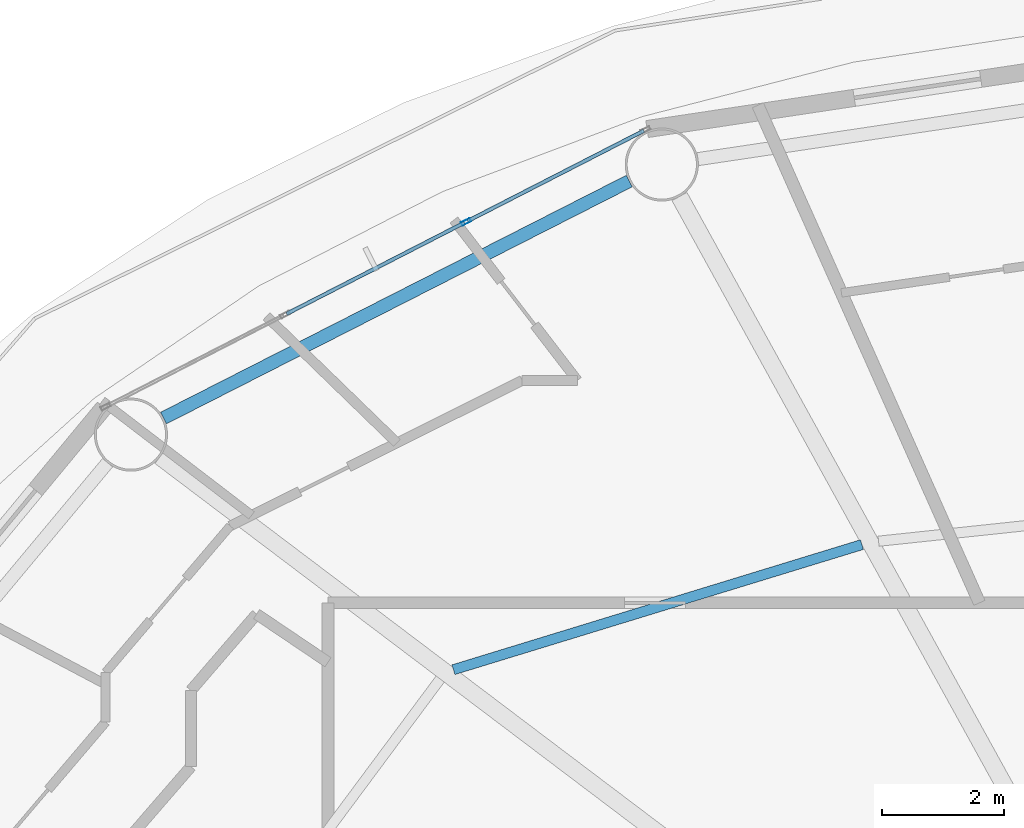
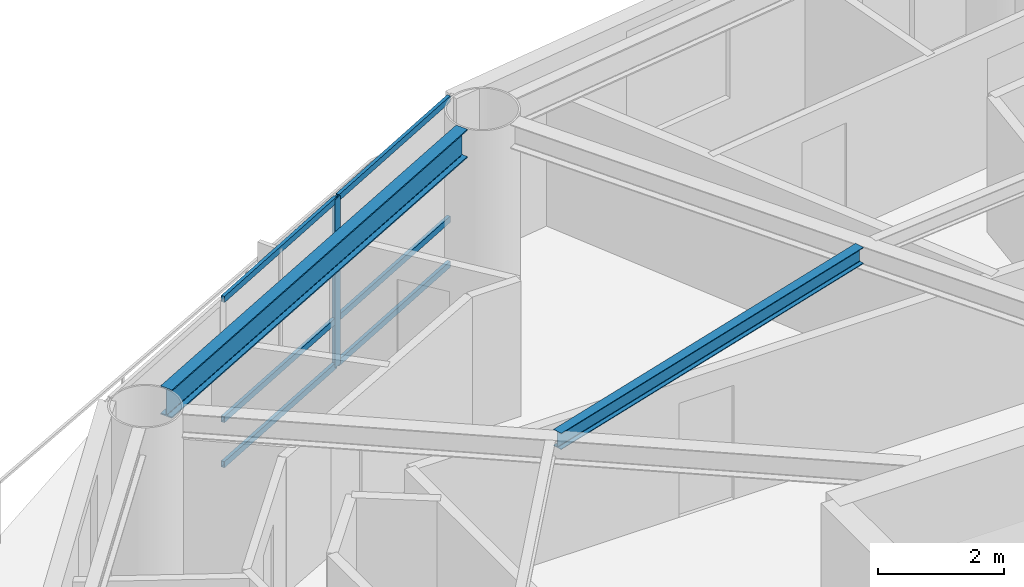
# One storey, part 9 of 28: 7 members, 2 beams, 1 element without a shape of its own.
"""IFC4 building model written with IfcOpenShell, lengths in metres."""

from ifc_helpers import new_model, si_unit, direction, frame, origin, origin_2d, place, context, subcontext, project, spatial, hollow_rectangle, i_section, extrude, material, layer, layer_set, material_profile, profile_set, type_object, element, aggregate, save


model = new_model("IFC4")

# Units and contexts
model_context = context("Model", 3, precision=1e-05, world=origin(), true_north=direction((0.0, 1.0)))
body_context = subcontext(model_context, "Body", "Model", "MODEL_VIEW")
ifc_project = project(units=[si_unit("LENGTHUNIT", "METRE"), si_unit("AREAUNIT", "SQUARE_METRE"), si_unit("VOLUMEUNIT", "CUBIC_METRE"), si_unit("PLANEANGLEUNIT", "RADIAN"), si_unit("MASSUNIT", "GRAM", prefix="KILO")], contexts=[model_context])

# Site, building, storey
site_placement = place(None, origin())
site = spatial("IfcSite", under=ifc_project, at=site_placement, CompositionType="ELEMENT")
building_placement = place(site_placement, origin())
building = spatial("IfcBuilding", under=site, at=building_placement, Name="Sarneth Arch Tower", CompositionType="ELEMENT")
storey_placement = place(building_placement, frame((0.0, 0.0, 197.39990234375)))
storey = spatial("IfcBuildingStorey", under=building, at=storey_placement, Name="L50", CompositionType="ELEMENT", Elevation=197.39990234375)

# Beams
ifc_material_1 = material(Name="Steel S355", Category="steel")
ifc_material_profile_1 = material_profile(ifc_material_1, i_section(OverallWidth=0.1669921875, OverallDepth=0.31689453125, WebThickness=0.007568359375, FlangeThickness=0.01318359375, FilletRadius=0.012939453125, at=origin_2d()), Name="W310x52")
ifc_profile_set_1 = profile_set([ifc_material_profile_1], Name="Steel S355")
beam_type_1 = type_object("IfcBeamType", Name="BM-JOIST-310B", PredefinedType="JOIST", material=ifc_profile_set_1)
beam_1_placement = place(storey_placement, frame((40.862548828125, 54.655517578125, 3.091552734375), z_axis=(-0.956178669891, -0.292783796076, 0.0), x_axis=(0.292783796076, -0.956178669891, 0.0)))
element("IfcBeam", 1, at=beam_1_placement, inside=storey, type_object=beam_type_1, Name="L50 Secondary floor joist 06", PredefinedType="JOIST", context=body_context, shape_type="SweptSolid", body=[
    extrude(i_section(OverallWidth=0.1669921875, OverallDepth=0.31689453125, WebThickness=0.007568359375, FlangeThickness=0.01318359375, FilletRadius=0.012939453125, at=origin_2d()), origin(), (0.0, 0.0, 1.0), 7.010986328125),
])
ifc_material_2 = material(Name="Steel S355", Category="steel")
ifc_material_profile_2 = material_profile(ifc_material_2, i_section(OverallWidth=0.214111328125, OverallDepth=0.549072265625, WebThickness=0.0146484375, FlangeThickness=0.023681640625, FilletRadius=0.01806640625, at=origin_2d()), Name="W530x138")
ifc_profile_set_2 = profile_set([ifc_material_profile_2], Name="Steel S355")
beam_type_2 = type_object("IfcBeamType", Name="BM-RAD-530A", PredefinedType="BEAM", material=ifc_profile_set_2)
beam_2_placement = place(storey_placement, frame((37.04345703125, 60.621337890625, 2.9755859375), z_axis=(-0.891250372735, -0.453511601945, 0.0), x_axis=(0.453511601945, -0.891250372735, 0.0)))
element("IfcBeam", 2, at=beam_2_placement, inside=storey, type_object=beam_type_2, Name="L50 Perimeter spandrel beam 06", PredefinedType="BEAM", context=body_context, shape_type="SweptSolid", body=[
    extrude(i_section(OverallWidth=0.214111328125, OverallDepth=0.549072265625, WebThickness=0.0146484375, FlangeThickness=0.023681640625, FilletRadius=0.01806640625, at=origin_2d()), origin(), (0.0, 0.0, 1.0), 8.5751953125),
])

# Curtain wall, members
ifc_material_3 = material(Name="Anodised aluminium Type AA25 and solar-control low-e laminated IGU", Category="aluminium")
ifc_layer = layer(ifc_material_3, 0.169921875)
ifc_layer_set = layer_set([ifc_layer], Name="Anodised aluminium Type AA25 and solar-control low-e laminated IGU")
curtain_wall_type = type_object("IfcCurtainWallType", Name="CW-RES-MID", PredefinedType="NOTDEFINED", material=ifc_layer_set)
curtain_wall_placement = place(storey_placement, origin())
curtain_wall = element("IfcCurtainWall", 3, at=curtain_wall_placement, inside=storey, type_object=curtain_wall_type, Name="L50 Unitised curtain wall facet 06", PredefinedType="NOTDEFINED")
ifc_material_4 = material(Name="Anodised Aluminium 6063-T6", Category="aluminium")
ifc_material_profile_3 = material_profile(ifc_material_4, hollow_rectangle(XDim=0.06005859375, YDim=0.159912109375, WallThickness=0.00390625, at=origin_2d()), Name="AL-MULL-160x60x4")
ifc_profile_set_3 = profile_set([ifc_material_profile_3], Name="Anodised Aluminium 6063-T6")
member_type_1 = type_object("IfcMemberType", Name="CW-MULLION", PredefinedType="MULLION", material=ifc_profile_set_3)
member_1_placement = place(storey_placement, frame((34.365966796875, 59.9521484375, 0.0), z_axis=(0.0, 0.0, 1.0), x_axis=(0.456208470329, -0.88987293003, 0.0)))
member_1 = element("IfcMember", 4, at=member_1_placement, type_object=member_type_1, Name="CW-SYS-5 mullion 2", PredefinedType="MULLION", context=body_context, shape_type="SweptSolid", body=[
    extrude(hollow_rectangle(XDim=0.06005859375, YDim=0.159912109375, WallThickness=0.00390625, at=origin_2d()), origin(), (0.0, 0.0, 1.0), 3.25),
])
ifc_material_5 = material(Name="Anodised Aluminium 6063-T6", Category="aluminium")
ifc_material_profile_4 = material_profile(ifc_material_5, hollow_rectangle(XDim=0.06005859375, YDim=0.1201171875, WallThickness=0.00390625, at=origin_2d()), Name="AL-TRAN-120x60x4")
ifc_profile_set_4 = profile_set([ifc_material_profile_4], Name="Anodised Aluminium 6063-T6")
member_type_2 = type_object("IfcMemberType", Name="CW-TRANSOM", PredefinedType="USERDEFINED", material=ifc_profile_set_4)
member_2_placement = place(storey_placement, frame((37.28369140625, 61.447998046875, 0.030029296875), z_axis=(-0.889857362344, -0.456238835131, 0.0), x_axis=(0.456238835131, -0.889857362344, 0.0)))
member_2 = element("IfcMember", 5, at=member_2_placement, type_object=member_type_2, Name="CW-SYS-5 transom 1.1", ObjectType="TRANSOM", PredefinedType="USERDEFINED", context=body_context, shape_type="SweptSolid", body=[
    extrude(hollow_rectangle(XDim=0.06005859375, YDim=0.1201171875, WallThickness=0.00390625, at=origin_2d()), origin(), (0.0, 0.0, 1.0), 3.248779296875),
])
member_3_placement = place(storey_placement, frame((37.28369140625, 61.447998046875, 0.900146484375), z_axis=(-0.889857362344, -0.456238835131, 0.0), x_axis=(0.456238835131, -0.889857362344, 0.0)))
member_3 = element("IfcMember", 6, at=member_3_placement, type_object=member_type_2, Name="CW-SYS-5 transom 1.2", ObjectType="TRANSOM", PredefinedType="USERDEFINED", context=body_context, shape_type="SweptSolid", body=[
    extrude(hollow_rectangle(XDim=0.06005859375, YDim=0.1201171875, WallThickness=0.00390625, at=origin_2d()), origin(), (0.0, 0.0, 1.0), 3.248779296875),
])
member_4_placement = place(storey_placement, frame((37.28369140625, 61.447998046875, 3.22021484375), z_axis=(-0.889857362344, -0.456238835131, 0.0), x_axis=(0.456238835131, -0.889857362344, 0.0)))
member_4 = element("IfcMember", 7, at=member_4_placement, type_object=member_type_2, Name="CW-SYS-5 transom 1.3", ObjectType="TRANSOM", PredefinedType="USERDEFINED", context=body_context, shape_type="SweptSolid", body=[
    extrude(hollow_rectangle(XDim=0.06005859375, YDim=0.1201171875, WallThickness=0.00390625, at=origin_2d()), origin(), (0.0, 0.0, 1.0), 3.248779296875),
])
member_5_placement = place(storey_placement, frame((34.33935546875, 59.9384765625, 0.030029296875), z_axis=(-0.889869396751, -0.45621536222, 0.0), x_axis=(0.45621536222, -0.889869396751, 0.0)))
member_5 = element("IfcMember", 8, at=member_5_placement, type_object=member_type_2, Name="CW-SYS-5 transom 2.1", ObjectType="TRANSOM", PredefinedType="USERDEFINED", context=body_context, shape_type="SweptSolid", body=[
    extrude(hollow_rectangle(XDim=0.06005859375, YDim=0.1201171875, WallThickness=0.00390625, at=origin_2d()), origin(), (0.0, 0.0, 1.0), 3.27880859375),
])
member_6_placement = place(storey_placement, frame((34.33935546875, 59.9384765625, 0.900146484375), z_axis=(-0.889869396751, -0.45621536222, 0.0), x_axis=(0.45621536222, -0.889869396751, 0.0)))
member_6 = element("IfcMember", 9, at=member_6_placement, type_object=member_type_2, Name="CW-SYS-5 transom 2.2", ObjectType="TRANSOM", PredefinedType="USERDEFINED", context=body_context, shape_type="SweptSolid", body=[
    extrude(hollow_rectangle(XDim=0.06005859375, YDim=0.1201171875, WallThickness=0.00390625, at=origin_2d()), origin(), (0.0, 0.0, 1.0), 3.27880859375),
])
member_7_placement = place(storey_placement, frame((34.33935546875, 59.9384765625, 3.22021484375), z_axis=(-0.889869396751, -0.45621536222, 0.0), x_axis=(0.45621536222, -0.889869396751, 0.0)))
member_7 = element("IfcMember", 10, at=member_7_placement, type_object=member_type_2, Name="CW-SYS-5 transom 2.3", ObjectType="TRANSOM", PredefinedType="USERDEFINED", context=body_context, shape_type="SweptSolid", body=[
    extrude(hollow_rectangle(XDim=0.06005859375, YDim=0.1201171875, WallThickness=0.00390625, at=origin_2d()), origin(), (0.0, 0.0, 1.0), 3.27880859375),
])
aggregate(curtain_wall, [member_1, member_2, member_3, member_4, member_5, member_6, member_7])

save(model, "model.ifc")
